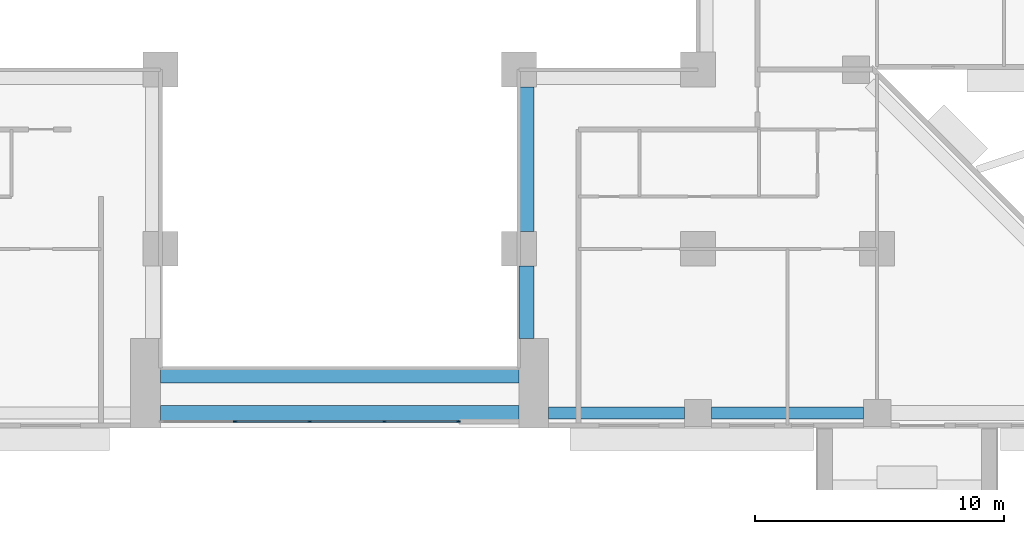
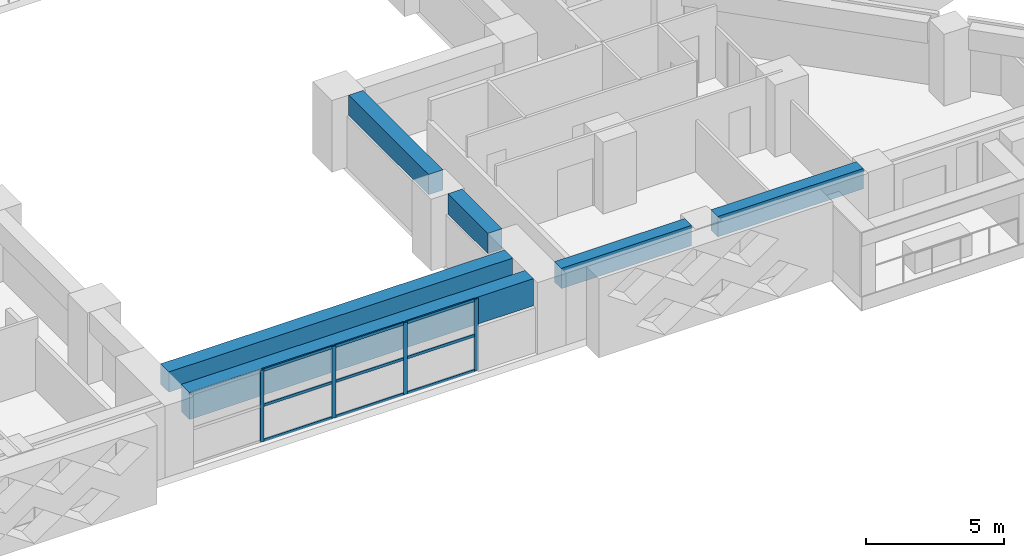
# One storey, part 4 of 16: 13 members, 6 beams, 1 element without a shape of its own.
"""IFC4 building model written with IfcOpenShell, lengths in metres."""

from ifc_helpers import new_model, si_unit, direction, frame, origin, origin_2d, place, context, subcontext, project, spatial, rectangle, extrude, source, transform, mapped, material, layer, layer_set, material_profile, profile_set, type_object, element, aggregate, save


model = new_model("IFC4")

# Units and contexts
model_context = context("Model", 3, precision=1e-05, world=origin(), true_north=direction((0.0, 1.0)))
body_context = subcontext(model_context, "Body", "Model", "MODEL_VIEW")
ifc_project = project(units=[si_unit("LENGTHUNIT", "METRE"), si_unit("AREAUNIT", "SQUARE_METRE"), si_unit("VOLUMEUNIT", "CUBIC_METRE"), si_unit("PLANEANGLEUNIT", "RADIAN"), si_unit("MASSUNIT", "GRAM", prefix="KILO")], contexts=[model_context])

# Site, building, storey
site_placement = place(None, origin())
site = spatial("IfcSite", under=ifc_project, at=site_placement, CompositionType="ELEMENT")
building_placement = place(site_placement, origin())
building = spatial("IfcBuilding", under=site, at=building_placement, Name="Saffron Iwan Residences", CompositionType="ELEMENT")
storey_placement = place(building_placement, frame((0.0, 0.0, 30.5)))
storey = spatial("IfcBuildingStorey", under=building, at=storey_placement, Name="L06", CompositionType="ELEMENT", Elevation=30.5)

# Beams
ifc_material_1 = material(Name="Concrete C60/75", Category="concrete")
ifc_material_profile_1 = material_profile(ifc_material_1, rectangle(XDim=0.5, YDim=0.89990234375, at=origin_2d()), Name="RC 500x900")
ifc_profile_set_1 = profile_set([ifc_material_profile_1], Name="Concrete C60/75")
beam_type_1 = type_object("IfcBeamType", Name="SPANDREL BEAM RC 500x900 C60/75 TOP 3180", PredefinedType="SPANDREL", material=ifc_profile_set_1)
shared_shape_1 = source(origin(), body_context, "Body", "SweptSolid", [
    extrude(rectangle(XDim=0.5, YDim=0.89990234375, at=origin_2d()), origin(), (0.0, 0.0, 1.0), 6.099853515625),
])
beam_1_placement = place(storey_placement, frame((71.449951171875, 34.199951171875, 2.72998046875), z_axis=(-1.0, 0.0, 0.0), x_axis=(0.0, -1.0, 0.0)))
element("IfcBeam", 1, at=beam_1_placement, inside=storey, type_object=beam_type_1, Name="Spandrel beam", PredefinedType="SPANDREL", context=body_context, shape_type="MappedRepresentation", body=[
    mapped(shared_shape_1, transform((0.0, 0.0, 0.0))),
])
shared_shape_2 = source(origin(), body_context, "Body", "SweptSolid", [
    extrude(rectangle(XDim=0.5, YDim=0.89990234375, at=origin_2d()), origin(), (0.0, 0.0, 1.0), 5.449951171875),
])
beam_2_placement = place(storey_placement, frame((64.25, 34.199951171875, 2.72998046875), z_axis=(-1.0, 0.0, 0.0), x_axis=(0.0, -1.0, 0.0)))
element("IfcBeam", 2, at=beam_2_placement, inside=storey, type_object=beam_type_1, Name="Spandrel beam", PredefinedType="SPANDREL", context=body_context, shape_type="MappedRepresentation", body=[
    mapped(shared_shape_2, transform((0.0, 0.0, 0.0))),
])
ifc_material_profile_2 = material_profile(ifc_material_1, rectangle(XDim=0.60009765625, YDim=1.199951171875, at=origin_2d()), Name="RC 600x1200")
ifc_profile_set_2 = profile_set([ifc_material_profile_2], Name="Concrete C60/75")
beam_type_2 = type_object("IfcBeamType", Name="LINTEL BEAM RC 600x1200 C60/75 TOP 3180", PredefinedType="LINTEL", material=ifc_profile_set_2)
shared_shape_3 = source(origin(), body_context, "Body", "SweptSolid", [
    extrude(rectangle(XDim=0.60009765625, YDim=1.199951171875, at=origin_2d()), origin(), (0.0, 0.0, 1.0), 14.400146484375),
])
beam_3_placement = place(storey_placement, frame((57.60009765625, 34.199951171875, 2.580078125), z_axis=(-1.0, 0.0, 0.0), x_axis=(0.0, -1.0, 0.0)))
element("IfcBeam", 3, at=beam_3_placement, inside=storey, type_object=beam_type_2, Name="Lintel beam over the iwan", PredefinedType="LINTEL", context=body_context, shape_type="MappedRepresentation", body=[
    mapped(shared_shape_3, transform((0.0, 0.0, 0.0))),
])
ifc_material_profile_3 = material_profile(ifc_material_1, rectangle(XDim=0.60009765625, YDim=0.89990234375, at=origin_2d()), Name="RC 600x900")
ifc_profile_set_3 = profile_set([ifc_material_profile_3], Name="Concrete C60/75")
beam_type_3 = type_object("IfcBeamType", Name="BEAM RC 600x900 C60/75 TOP 3180", PredefinedType="BEAM", material=ifc_profile_set_3)
shared_shape_4 = source(origin(), body_context, "Body", "SweptSolid", [
    extrude(rectangle(XDim=0.60009765625, YDim=0.89990234375, at=origin_2d()), origin(), (0.0, 0.0, 1.0), 14.400146484375),
])
beam_4_placement = place(storey_placement, frame((57.60009765625, 35.699951171875, 2.72998046875), z_axis=(-1.0, 0.0, 0.0), x_axis=(0.0, -1.0, 0.0)))
element("IfcBeam", 4, at=beam_4_placement, inside=storey, type_object=beam_type_3, Name="Atrium edge beam", PredefinedType="BEAM", context=body_context, shape_type="MappedRepresentation", body=[
    mapped(shared_shape_4, transform((0.0, 0.0, 0.0))),
])
shared_shape_5 = source(origin(), body_context, "Body", "SweptSolid", [
    extrude(rectangle(XDim=0.60009765625, YDim=0.89990234375, at=origin_2d()), origin(), (0.0, 0.0, 1.0), 2.900146484375),
])
beam_5_placement = place(storey_placement, frame((57.89990234375, 40.10009765625, 2.72998046875), z_axis=(0.0, -1.0, 0.0), x_axis=(1.0, 0.0, 0.0)))
element("IfcBeam", 5, at=beam_5_placement, inside=storey, type_object=beam_type_3, Name="Atrium edge beam", PredefinedType="BEAM", context=body_context, shape_type="MappedRepresentation", body=[
    mapped(shared_shape_5, transform((0.0, 0.0, 0.0))),
])
shared_shape_6 = source(origin(), body_context, "Body", "SweptSolid", [
    extrude(rectangle(XDim=0.60009765625, YDim=0.89990234375, at=origin_2d()), origin(), (0.0, 0.0, 1.0), 5.800048828125),
])
beam_6_placement = place(storey_placement, frame((57.89990234375, 47.300048828125, 2.72998046875), z_axis=(0.0, -1.0, 0.0), x_axis=(1.0, 0.0, 0.0)))
element("IfcBeam", 6, at=beam_6_placement, inside=storey, type_object=beam_type_3, Name="Atrium edge beam", PredefinedType="BEAM", context=body_context, shape_type="MappedRepresentation", body=[
    mapped(shared_shape_6, transform((0.0, 0.0, 0.0))),
])

# Curtain wall, members
ifc_material_2 = material(Name="Clear glass, laminated double glazed", Category="glass")
ifc_layer = layer(ifc_material_2, 0.199951171875)
ifc_layer_set = layer_set([ifc_layer], Name="Clear glass, laminated double glazed")
curtain_wall_type = type_object("IfcCurtainWallType", Name="CW-B IWAN PORTAL", PredefinedType="NOTDEFINED", material=ifc_layer_set)
curtain_wall_placement = place(storey_placement, origin())
curtain_wall = element("IfcCurtainWall", 7, at=curtain_wall_placement, inside=storey, type_object=curtain_wall_type, Name="Iwan portal glazing L06.1", PredefinedType="NOTDEFINED")
ifc_material_3 = material(Name="Aluminium 6063-T6", Category="aluminium")
ifc_material_profile_4 = material_profile(ifc_material_3, rectangle(XDim=0.06005859375, YDim=0.159912109375, at=origin_2d()), Name="CW-B MULLION 60 x 160")
ifc_profile_set_4 = profile_set([ifc_material_profile_4], Name="Aluminium 6063-T6")
member_type_1 = type_object("IfcMemberType", Name="CW-B MULLION 60 x 160", PredefinedType="MULLION", material=ifc_profile_set_4)
shared_shape_7 = source(origin(), body_context, "Body", "SweptSolid", [
    extrude(rectangle(XDim=0.06005859375, YDim=0.159912109375, at=origin_2d()), origin(), (0.0, 0.0, 1.0), 3.179931640625),
])
member_1_placement = place(storey_placement, frame((46.199951171875, 33.85009765625, 0.0), z_axis=(0.0, 0.0, 1.0), x_axis=(0.0, 1.0, 0.0)))
member_1 = element("IfcMember", 8, at=member_1_placement, type_object=member_type_1, Name="CW-B mullion 2", PredefinedType="MULLION", context=body_context, shape_type="MappedRepresentation", body=[
    mapped(shared_shape_7, transform((0.0, 0.0, 0.0))),
])
member_2_placement = place(storey_placement, frame((49.199951171875, 33.85009765625, 0.0), z_axis=(0.0, 0.0, 1.0), x_axis=(0.0, 1.0, 0.0)))
member_2 = element("IfcMember", 9, at=member_2_placement, type_object=member_type_1, Name="CW-B mullion 3", PredefinedType="MULLION", context=body_context, shape_type="MappedRepresentation", body=[
    mapped(shared_shape_7, transform((0.0, 0.0, 0.0))),
])
member_3_placement = place(storey_placement, frame((52.199951171875, 33.85009765625, 0.0), z_axis=(0.0, 0.0, 1.0), x_axis=(0.0, 1.0, 0.0)))
member_3 = element("IfcMember", 10, at=member_3_placement, type_object=member_type_1, Name="CW-B mullion 4", PredefinedType="MULLION", context=body_context, shape_type="MappedRepresentation", body=[
    mapped(shared_shape_7, transform((0.0, 0.0, 0.0))),
])
member_4_placement = place(storey_placement, frame((55.169921875, 33.85009765625, 0.0), z_axis=(0.0, 0.0, 1.0), x_axis=(0.0, 1.0, 0.0)))
member_4 = element("IfcMember", 11, at=member_4_placement, type_object=member_type_1, Name="CW-B mullion 5", PredefinedType="MULLION", context=body_context, shape_type="MappedRepresentation", body=[
    mapped(shared_shape_7, transform((0.0, 0.0, 0.0))),
])
ifc_material_profile_5 = material_profile(ifc_material_3, rectangle(XDim=0.06005859375, YDim=0.1201171875, at=origin_2d()), Name="CW-B TRANSOM 60 x 120")
ifc_profile_set_5 = profile_set([ifc_material_profile_5], Name="Aluminium 6063-T6")
member_type_2 = type_object("IfcMemberType", Name="CW-B TRANSOM 60 x 120", PredefinedType="USERDEFINED", material=ifc_profile_set_5)
shared_shape_8 = source(origin(), body_context, "Body", "SweptSolid", [
    extrude(rectangle(XDim=0.06005859375, YDim=0.1201171875, at=origin_2d()), origin(), (0.0, 0.0, 1.0), 2.909912109375),
])
member_5_placement = place(storey_placement, frame((52.22998046875, 33.85009765625, 0.030029296875), z_axis=(1.0, 0.0, 0.0), x_axis=(0.0, 1.0, 0.0)))
member_5 = element("IfcMember", 12, at=member_5_placement, type_object=member_type_2, Name="CW-B transom 4.1", ObjectType="TRANSOM", PredefinedType="USERDEFINED", context=body_context, shape_type="MappedRepresentation", body=[
    mapped(shared_shape_8, transform((0.0, 0.0, 0.0))),
])
member_6_placement = place(storey_placement, frame((52.22998046875, 33.85009765625, 1.590087890625), z_axis=(1.0, 0.0, 0.0), x_axis=(0.0, 1.0, 0.0)))
member_6 = element("IfcMember", 13, at=member_6_placement, type_object=member_type_2, Name="CW-B transom 4.2", ObjectType="TRANSOM", PredefinedType="USERDEFINED", context=body_context, shape_type="MappedRepresentation", body=[
    mapped(shared_shape_8, transform((0.0, 0.0, 0.0))),
])
member_7_placement = place(storey_placement, frame((52.22998046875, 33.85009765625, 3.14990234375), z_axis=(1.0, 0.0, 0.0), x_axis=(0.0, 1.0, 0.0)))
member_7 = element("IfcMember", 14, at=member_7_placement, type_object=member_type_2, Name="CW-B transom 4.3", ObjectType="TRANSOM", PredefinedType="USERDEFINED", context=body_context, shape_type="MappedRepresentation", body=[
    mapped(shared_shape_8, transform((0.0, 0.0, 0.0))),
])
shared_shape_9 = source(origin(), body_context, "Body", "SweptSolid", [
    extrude(rectangle(XDim=0.06005859375, YDim=0.1201171875, at=origin_2d()), origin(), (0.0, 0.0, 1.0), 2.93994140625),
])
member_8_placement = place(storey_placement, frame((46.22998046875, 33.85009765625, 0.030029296875), z_axis=(1.0, 0.0, 0.0), x_axis=(0.0, 1.0, 0.0)))
member_8 = element("IfcMember", 15, at=member_8_placement, type_object=member_type_2, Name="CW-B transom 2.1", ObjectType="TRANSOM", PredefinedType="USERDEFINED", context=body_context, shape_type="MappedRepresentation", body=[
    mapped(shared_shape_9, transform((0.0, 0.0, 0.0))),
])
member_9_placement = place(storey_placement, frame((46.22998046875, 33.85009765625, 1.590087890625), z_axis=(1.0, 0.0, 0.0), x_axis=(0.0, 1.0, 0.0)))
member_9 = element("IfcMember", 16, at=member_9_placement, type_object=member_type_2, Name="CW-B transom 2.2", ObjectType="TRANSOM", PredefinedType="USERDEFINED", context=body_context, shape_type="MappedRepresentation", body=[
    mapped(shared_shape_9, transform((0.0, 0.0, 0.0))),
])
member_10_placement = place(storey_placement, frame((46.22998046875, 33.85009765625, 3.14990234375), z_axis=(1.0, 0.0, 0.0), x_axis=(0.0, 1.0, 0.0)))
member_10 = element("IfcMember", 17, at=member_10_placement, type_object=member_type_2, Name="CW-B transom 2.3", ObjectType="TRANSOM", PredefinedType="USERDEFINED", context=body_context, shape_type="MappedRepresentation", body=[
    mapped(shared_shape_9, transform((0.0, 0.0, 0.0))),
])
member_11_placement = place(storey_placement, frame((49.22998046875, 33.85009765625, 0.030029296875), z_axis=(1.0, 0.0, 0.0), x_axis=(0.0, 1.0, 0.0)))
member_11 = element("IfcMember", 18, at=member_11_placement, type_object=member_type_2, Name="CW-B transom 3.1", ObjectType="TRANSOM", PredefinedType="USERDEFINED", context=body_context, shape_type="MappedRepresentation", body=[
    mapped(shared_shape_9, transform((0.0, 0.0, 0.0))),
])
member_12_placement = place(storey_placement, frame((49.22998046875, 33.85009765625, 1.590087890625), z_axis=(1.0, 0.0, 0.0), x_axis=(0.0, 1.0, 0.0)))
member_12 = element("IfcMember", 19, at=member_12_placement, type_object=member_type_2, Name="CW-B transom 3.2", ObjectType="TRANSOM", PredefinedType="USERDEFINED", context=body_context, shape_type="MappedRepresentation", body=[
    mapped(shared_shape_9, transform((0.0, 0.0, 0.0))),
])
member_13_placement = place(storey_placement, frame((49.22998046875, 33.85009765625, 3.14990234375), z_axis=(1.0, 0.0, 0.0), x_axis=(0.0, 1.0, 0.0)))
member_13 = element("IfcMember", 20, at=member_13_placement, type_object=member_type_2, Name="CW-B transom 3.3", ObjectType="TRANSOM", PredefinedType="USERDEFINED", context=body_context, shape_type="MappedRepresentation", body=[
    mapped(shared_shape_9, transform((0.0, 0.0, 0.0))),
])
aggregate(curtain_wall, [member_1, member_2, member_3, member_4, member_8, member_9, member_10, member_11, member_12, member_13, member_5, member_6, member_7])

save(model, "model.ifc")
